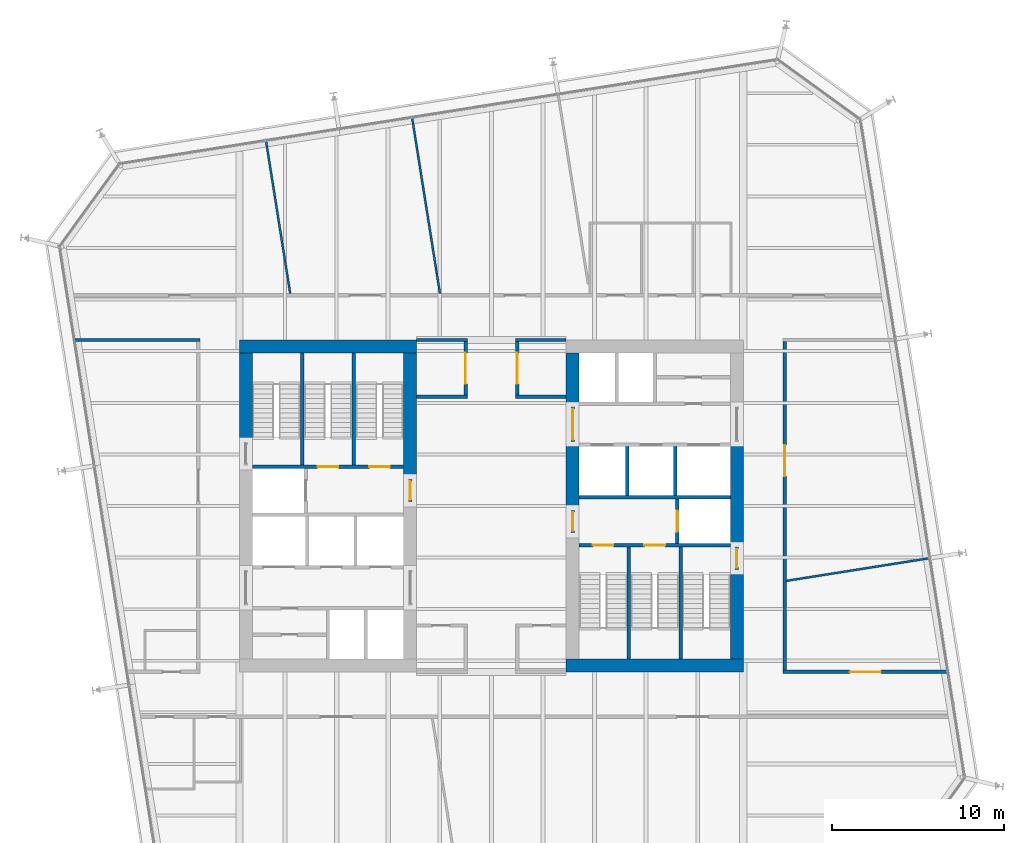
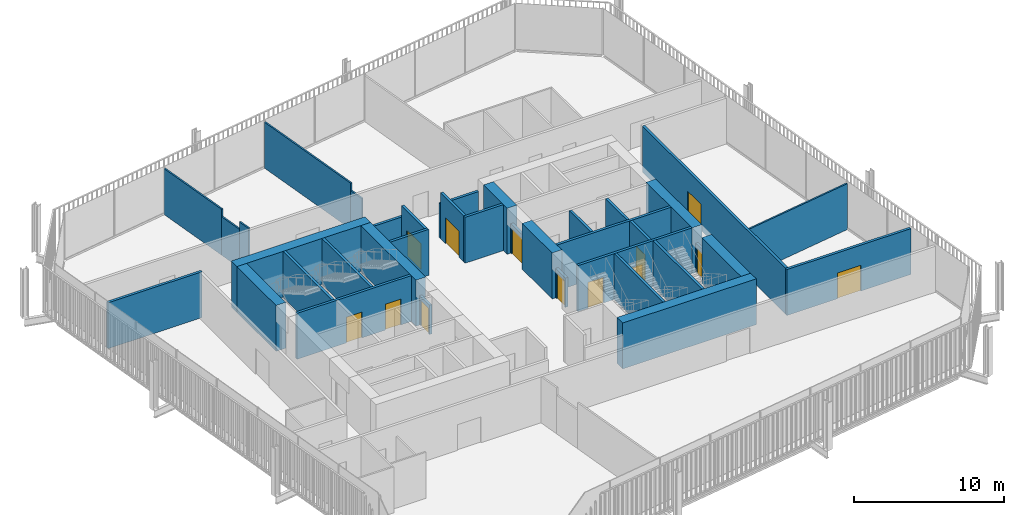
# One storey, part 18 of 21: 37 walls, 13 doors, 13 openings.
"""IFC4 building model written with IfcOpenShell, lengths in metres."""

from ifc_helpers import new_model, si_unit, direction, frame, frame_2d, origin, place, context, subcontext, project, spatial, rectangle, extrude, material, layer, layer_set, type_object, element, fill, save


model = new_model("IFC4")

# Units and contexts
model_context = context("Model", 3, precision=1e-05, world=origin(), true_north=direction((0.0, 1.0)))
body_context = subcontext(model_context, "Body", "Model", "MODEL_VIEW")
ifc_project = project(units=[si_unit("LENGTHUNIT", "METRE"), si_unit("AREAUNIT", "SQUARE_METRE"), si_unit("VOLUMEUNIT", "CUBIC_METRE"), si_unit("PLANEANGLEUNIT", "RADIAN"), si_unit("MASSUNIT", "GRAM", prefix="KILO")], contexts=[model_context])

# Site, building, storey
site_placement = place(None, origin())
site = spatial("IfcSite", under=ifc_project, at=site_placement, CompositionType="ELEMENT")
building_placement = place(site_placement, origin())
building = spatial("IfcBuilding", under=site, at=building_placement, Name="Millrace Tower", CompositionType="ELEMENT")
storey_placement = place(building_placement, frame((0.0, 0.0, 156.800048828125)))
storey = spatial("IfcBuildingStorey", under=building, at=storey_placement, Name="L35", CompositionType="ELEMENT", Elevation=156.800048828125)

# Walls
ifc_material_1 = material(Name="Concrete C70", Category="concrete")
ifc_layer_1 = layer(ifc_material_1, 0.75)
ifc_layer_set_1 = layer_set([ifc_layer_1], Name="Concrete C70")
wall_type_1 = type_object("IfcWallType", Name="Core wall 750 Concrete C70", PredefinedType="SHEAR", material=ifc_layer_set_1)
wall_1_placement = place(storey_placement, frame((-14.64990234375, 9.27490234375, 0.0), z_axis=(0.0, 0.0, 1.0), x_axis=(1.0, 0.0, 0.0)))
element("IfcWall", 1, at=wall_1_placement, inside=storey, type_object=wall_type_1, Name="Core wall W L35", PredefinedType="SHEAR", context=body_context, shape_type="SweptSolid", body=[
    extrude(rectangle(XDim=10.2998046875, YDim=0.75, at=frame_2d((5.14990234375, 0.0))), origin(), (0.0, 0.0, 1.0), 3.739990234375),
])
wall_2_placement = place(storey_placement, frame((-14.27490234375, 3.679931640625, 0.0), z_axis=(0.0, 0.0, 1.0), x_axis=(0.0, 1.0, 0.0)))
element("IfcWall", 2, at=wall_2_placement, inside=storey, type_object=wall_type_1, Name="Core wall W L35", PredefinedType="SHEAR", context=body_context, shape_type="SweptSolid", body=[
    extrude(rectangle(XDim=5.219970703125, YDim=0.75, at=frame_2d((2.60986328125, 0.0))), origin(), (0.0, 0.0, 1.0), 3.739990234375),
])
wall_3_placement = place(storey_placement, frame((-4.72509765625, 1.550048828125, 0.0), z_axis=(0.0, 0.0, 1.0), x_axis=(0.0, 1.0, 0.0)))
element("IfcWall", 3, at=wall_3_placement, inside=storey, type_object=wall_type_1, Name="Core wall W L35", PredefinedType="SHEAR", context=body_context, shape_type="SweptSolid", body=[
    extrude(rectangle(XDim=7.349853515625, YDim=0.75, at=frame_2d((3.6748046875, 0.0))), origin(), (0.0, 0.0, 1.0), 3.739990234375),
])
wall_4_placement = place(storey_placement, frame((14.64990234375, -9.27490234375, 0.0), z_axis=(0.0, 0.0, 1.0), x_axis=(-1.0, 0.0, 0.0)))
element("IfcWall", 4, at=wall_4_placement, inside=storey, type_object=wall_type_1, Name="Core wall E L35", PredefinedType="SHEAR", context=body_context, shape_type="SweptSolid", body=[
    extrude(rectangle(XDim=10.2998046875, YDim=0.75, at=frame_2d((5.14990234375, 0.0))), origin(), (0.0, 0.0, 1.0), 3.739990234375),
])
wall_5_placement = place(storey_placement, frame((14.27490234375, 3.75, 0.0), z_axis=(0.0, 0.0, 1.0), x_axis=(0.0, -1.0, 0.0)))
element("IfcWall", 5, at=wall_5_placement, inside=storey, type_object=wall_type_1, Name="Core wall E L35", PredefinedType="SHEAR", context=body_context, shape_type="SweptSolid", body=[
    extrude(rectangle(XDim=6.1298828125, YDim=0.75, at=frame_2d((3.06494140625, 0.0))), origin(), (0.0, 0.0, 1.0), 3.739990234375),
])
wall_6_placement = place(storey_placement, frame((14.27490234375, -3.679931640625, 0.0), z_axis=(0.0, 0.0, 1.0), x_axis=(0.0, -1.0, 0.0)))
element("IfcWall", 6, at=wall_6_placement, inside=storey, type_object=wall_type_1, Name="Core wall E L35", PredefinedType="SHEAR", context=body_context, shape_type="SweptSolid", body=[
    extrude(rectangle(XDim=5.219970703125, YDim=0.75, at=frame_2d((2.60986328125, 0.0))), origin(), (0.0, 0.0, 1.0), 3.739990234375),
])
wall_7_placement = place(storey_placement, frame((4.72509765625, 8.89990234375, 0.0), z_axis=(0.0, 0.0, 1.0), x_axis=(0.0, -1.0, 0.0)))
element("IfcWall", 7, at=wall_7_placement, inside=storey, type_object=wall_type_1, Name="Core wall E L35", PredefinedType="SHEAR", context=body_context, shape_type="SweptSolid", body=[
    extrude(rectangle(XDim=3.14990234375, YDim=0.75, at=frame_2d((1.574951171875, 0.0))), origin(), (0.0, 0.0, 1.0), 3.739990234375),
])
wall_8_placement = place(storey_placement, frame((4.72509765625, 3.75, 0.0), z_axis=(0.0, 0.0, 1.0), x_axis=(0.0, -1.0, 0.0)))
element("IfcWall", 8, at=wall_8_placement, inside=storey, type_object=wall_type_1, Name="Core wall E L35", PredefinedType="SHEAR", context=body_context, shape_type="SweptSolid", body=[
    extrude(rectangle(XDim=4.0, YDim=0.75, at=frame_2d((2.0, 0.0))), origin(), (0.0, 0.0, 1.0), 3.739990234375),
])

# Wall, opening, door
ifc_material_2 = material(Name="Masonry partition, fire-rated", Category="masonry")
ifc_layer_2 = layer(ifc_material_2, 0.199951171875)
ifc_layer_set_2 = layer_set([ifc_layer_2], Name="Masonry partition, fire-rated")
wall_type_2 = type_object("IfcWallType", Name="Corridor wall 200", PredefinedType="PARTITIONING", material=ifc_layer_set_2)
wall_9_placement = place(storey_placement, frame((16.949951171875, -9.64990234375, 0.0), z_axis=(0.0, 0.0, 1.0), x_axis=(1.0, 0.0, 0.0)))
wall_9 = element("IfcWall", 9, at=wall_9_placement, inside=storey, type_object=wall_type_2, Name="Corridor wall L35", PredefinedType="PARTITIONING", context=body_context, shape_type="SweptSolid", body=[
    extrude(rectangle(XDim=9.54638671875, YDim=0.199951171875, at=frame_2d((4.773193359375, 0.0))), origin(), (0.0, 0.0, 1.0), 3.739990234375),
])
opening_1_placement = place(wall_9_placement, frame((3.89794921875, 0.0, 0.0)))
opening_1 = element("IfcOpeningElement", 10, at=opening_1_placement, cuts=wall_9, Name="Opening 35-P012", PredefinedType="OPENING", context=body_context, shape_type="SweptSolid", body=[
    extrude(rectangle(XDim=1.800048828125, YDim=2.10009765625, at=frame_2d((0.89990234375, 1.050048828125))), frame((0.0, 0.10986328125, 0.0), z_axis=(0.0, -1.0, 0.0), x_axis=(1.0, 0.0, 0.0)), (0.0, 0.0, 1.0), 0.219970703125),
])
ifc_material_3 = material(Name="Steel door set, fire-rated", Category="steel")
door_type_1 = type_object("IfcDoorType", Name="Corridor door 1800 x 2100", OperationType="DOUBLE_DOOR_SINGLE_SWING", PredefinedType="DOOR", material=ifc_material_3)
door_1_placement = place(opening_1_placement, origin())
door_1 = element("IfcDoor", 11, at=door_1_placement, inside=storey, type_object=door_type_1, Name="Door 35-P012", OperationType="DOUBLE_DOOR_SINGLE_SWING", OverallHeight=2.10009765625, OverallWidth=1.800048828125, PredefinedType="DOOR", context=body_context, shape_type="SweptSolid", body=[
    extrude(rectangle(XDim=1.800048828125, YDim=2.10009765625, at=frame_2d((0.89990234375, 1.050048828125))), frame((0.0, 0.02490234375, 0.0), z_axis=(0.0, -1.0, 0.0), x_axis=(1.0, 0.0, 0.0)), (0.0, 0.0, 1.0), 0.050048828125),
])
fill(opening_1, door_1)

# Walls
for number, where, z_axis, x_axis, name in (
    (12, (-4.35009765625, 6.35009765625, 0.0), (0.0, 0.0, 1.0), (1.0, 0.0, 0.0), "Corridor wall L35"),
    (13, (1.39990234375, 6.35009765625, 0.0), (0.0, 0.0, 1.0), (1.0, 0.0, 0.0), "Corridor wall L35"),
):
    element("IfcWall", number, at=place(storey_placement, frame(where, z_axis=z_axis, x_axis=x_axis)), inside=storey, type_object=wall_type_2, Name=name, PredefinedType="PARTITIONING", context=body_context, shape_type="SweptSolid", body=[
        extrude(rectangle(XDim=2.9501953125, YDim=0.199951171875, at=frame_2d((1.47509765625, 0.0))), origin(), (0.0, 0.0, 1.0), 3.739990234375),
    ])
wall_10_placement = place(storey_placement, frame((-24.20703125, 9.64990234375, 0.0), z_axis=(0.0, 0.0, 1.0), x_axis=(1.0, 0.0, 0.0)))
element("IfcWall", 14, at=wall_10_placement, inside=storey, type_object=wall_type_2, Name="Corridor wall L35", PredefinedType="PARTITIONING", context=body_context, shape_type="SweptSolid", body=[
    extrude(rectangle(XDim=7.257080078125, YDim=0.199951171875, at=frame_2d((3.62841796875, 0.0))), origin(), (0.0, 0.0, 1.0), 3.739990234375),
])
for number, where, z_axis, x_axis, name in (
    (15, (-4.35009765625, 9.64990234375, 0.0), (0.0, 0.0, 1.0), (1.0, 0.0, 0.0), "Corridor wall L35"),
    (16, (1.39990234375, 9.64990234375, 0.0), (0.0, 0.0, 1.0), (1.0, 0.0, 0.0), "Corridor wall L35"),
):
    element("IfcWall", number, at=place(storey_placement, frame(where, z_axis=z_axis, x_axis=x_axis)), inside=storey, type_object=wall_type_2, Name=name, PredefinedType="PARTITIONING", context=body_context, shape_type="SweptSolid", body=[
        extrude(rectangle(XDim=2.9501953125, YDim=0.199951171875, at=frame_2d((1.47509765625, 0.0))), origin(), (0.0, 0.0, 1.0), 2.812744140625),
    ])

# Wall, opening, door
wall_11_placement = place(storey_placement, frame((17.050048828125, -9.550048828125, 0.0), z_axis=(0.0, 0.0, 1.0), x_axis=(0.0, 1.0, 0.0)))
wall_11 = element("IfcWall", 17, at=wall_11_placement, inside=storey, type_object=wall_type_2, Name="Corridor wall L35", PredefinedType="PARTITIONING", context=body_context, shape_type="SweptSolid", body=[
    extrude(rectangle(XDim=19.10009765625, YDim=0.199951171875, at=frame_2d((9.550048828125, 0.0))), origin(), (0.0, 0.0, 1.0), 3.739990234375),
])
opening_2_placement = place(wall_11_placement, frame((11.2900390625, 0.0, 0.0)))
opening_2 = element("IfcOpeningElement", 18, at=opening_2_placement, cuts=wall_11, Name="Opening 35-P013", PredefinedType="OPENING", context=body_context, shape_type="SweptSolid", body=[
    extrude(rectangle(XDim=1.800048828125, YDim=2.10009765625, at=frame_2d((0.89990234375, 1.050048828125))), frame((0.0, 0.10986328125, 0.0), z_axis=(0.0, -1.0, 0.0), x_axis=(1.0, 0.0, 0.0)), (0.0, 0.0, 1.0), 0.219970703125),
])
door_2_placement = place(opening_2_placement, frame((1.800048828125, 0.0, 0.0), z_axis=(0.0, 0.0, 1.0), x_axis=(-1.0, 0.0, 0.0)))
door_2 = element("IfcDoor", 19, at=door_2_placement, inside=storey, type_object=door_type_1, Name="Door 35-P013", OperationType="DOUBLE_DOOR_SINGLE_SWING", OverallHeight=2.10009765625, OverallWidth=1.800048828125, PredefinedType="DOOR", context=body_context, shape_type="SweptSolid", body=[
    extrude(rectangle(XDim=1.800048828125, YDim=2.10009765625, at=frame_2d((0.89990234375, 1.050048828125))), frame((0.0, 0.02490234375, 0.0), z_axis=(0.0, -1.0, 0.0), x_axis=(1.0, 0.0, 0.0)), (0.0, 0.0, 1.0), 0.050048828125),
])
fill(opening_2, door_2)

wall_12_placement = place(storey_placement, frame((1.5, 6.449951171875, 0.0), z_axis=(0.0, 0.0, 1.0), x_axis=(0.0, 1.0, 0.0)))
wall_12 = element("IfcWall", 20, at=wall_12_placement, inside=storey, type_object=wall_type_2, Name="Corridor wall L35", PredefinedType="PARTITIONING", context=body_context, shape_type="SweptSolid", body=[
    extrude(rectangle(XDim=3.10009765625, YDim=0.199951171875, at=frame_2d((1.550048828125, 0.0))), origin(), (0.0, 0.0, 1.0), 3.739990234375),
])
opening_3_placement = place(wall_12_placement, frame((0.64990234375, 0.0, 0.0)))
opening_3 = element("IfcOpeningElement", 21, at=opening_3_placement, cuts=wall_12, Name="Opening 35-P002", PredefinedType="OPENING", context=body_context, shape_type="SweptSolid", body=[
    extrude(rectangle(XDim=1.800048828125, YDim=2.10009765625, at=frame_2d((0.89990234375, 1.050048828125))), frame((0.0, 0.10986328125, 0.0), z_axis=(0.0, -1.0, 0.0), x_axis=(1.0, 0.0, 0.0)), (0.0, 0.0, 1.0), 0.219970703125),
])
ifc_material_4 = material(Name="Steel door set, fire-rated", Category="steel")
door_type_2 = type_object("IfcDoorType", Name="Data hall door 1800 x 2100", OperationType="DOUBLE_DOOR_SINGLE_SWING", PredefinedType="DOOR", material=ifc_material_4)
door_3_placement = place(opening_3_placement, frame((1.800048828125, 0.0, 0.0), z_axis=(0.0, 0.0, 1.0), x_axis=(-1.0, 0.0, 0.0)))
door_3 = element("IfcDoor", 22, at=door_3_placement, inside=storey, type_object=door_type_2, Name="Door 35-P002", OperationType="DOUBLE_DOOR_SINGLE_SWING", OverallHeight=2.10009765625, OverallWidth=1.800048828125, PredefinedType="DOOR", context=body_context, shape_type="SweptSolid", body=[
    extrude(rectangle(XDim=1.800048828125, YDim=2.10009765625, at=frame_2d((0.89990234375, 1.050048828125))), frame((0.0, 0.02490234375, 0.0), z_axis=(0.0, -1.0, 0.0), x_axis=(1.0, 0.0, 0.0)), (0.0, 0.0, 1.0), 0.050048828125),
])
fill(opening_3, door_3)

wall_13_placement = place(storey_placement, frame((-1.5, 6.449951171875, 0.0), z_axis=(0.0, 0.0, 1.0), x_axis=(0.0, 1.0, 0.0)))
wall_13 = element("IfcWall", 23, at=wall_13_placement, inside=storey, type_object=wall_type_2, Name="Corridor wall L35", PredefinedType="PARTITIONING", context=body_context, shape_type="SweptSolid", body=[
    extrude(rectangle(XDim=3.10009765625, YDim=0.199951171875, at=frame_2d((1.550048828125, 0.0))), origin(), (0.0, 0.0, 1.0), 3.739990234375),
])
opening_4_placement = place(wall_13_placement, frame((0.64990234375, 0.0, 0.0)))
opening_4 = element("IfcOpeningElement", 24, at=opening_4_placement, cuts=wall_13, Name="Opening 35-P001", PredefinedType="OPENING", context=body_context, shape_type="SweptSolid", body=[
    extrude(rectangle(XDim=1.800048828125, YDim=2.10009765625, at=frame_2d((0.89990234375, 1.050048828125))), frame((0.0, 0.10986328125, 0.0), z_axis=(0.0, -1.0, 0.0), x_axis=(1.0, 0.0, 0.0)), (0.0, 0.0, 1.0), 0.219970703125),
])
door_4_placement = place(opening_4_placement, origin())
door_4 = element("IfcDoor", 25, at=door_4_placement, inside=storey, type_object=door_type_2, Name="Door 35-P001", OperationType="DOUBLE_DOOR_SINGLE_SWING", OverallHeight=2.10009765625, OverallWidth=1.800048828125, PredefinedType="DOOR", context=body_context, shape_type="SweptSolid", body=[
    extrude(rectangle(XDim=1.800048828125, YDim=2.10009765625, at=frame_2d((0.89990234375, 1.050048828125))), frame((0.0, 0.02490234375, 0.0), z_axis=(0.0, -1.0, 0.0), x_axis=(1.0, 0.0, 0.0)), (0.0, 0.0, 1.0), 0.050048828125),
])
fill(opening_4, door_4)

# Wall
ifc_material_5 = material(Name="Masonry partition, fire-rated", Category="masonry")
ifc_layer_3 = layer(ifc_material_5, 0.199951171875)
ifc_layer_set_3 = layer_set([ifc_layer_3], Name="Masonry partition, fire-rated")
wall_type_3 = type_object("IfcWallType", Name="Lift shaft wall 200", PredefinedType="PARTITIONING", material=ifc_layer_set_3)
wall_14_placement = place(storey_placement, frame((13.89990234375, 0.5, 0.0), z_axis=(0.0, 0.0, 1.0), x_axis=(-1.0, 0.0, 0.0)))
element("IfcWall", 26, at=wall_14_placement, inside=storey, type_object=wall_type_3, Name="Lift shaft wall E L35", PredefinedType="PARTITIONING", context=body_context, shape_type="SweptSolid", body=[
    extrude(rectangle(XDim=8.7998046875, YDim=0.199951171875, at=frame_2d((4.39990234375, 0.0))), origin(), (0.0, 0.0, 1.0), 3.739990234375),
])

# Wall, opening, door
wall_15_placement = place(storey_placement, frame((10.800048828125, 0.39990234375, 0.0), z_axis=(0.0, 0.0, 1.0), x_axis=(0.0, -1.0, 0.0)))
wall_15 = element("IfcWall", 27, at=wall_15_placement, inside=storey, type_object=wall_type_3, Name="Lift shaft wall E L35", PredefinedType="PARTITIONING", context=body_context, shape_type="SweptSolid", body=[
    extrude(rectangle(XDim=2.579833984375, YDim=0.199951171875, at=frame_2d((1.2900390625, 0.0))), origin(), (0.0, 0.0, 1.0), 3.739990234375),
])
opening_5_placement = place(wall_15_placement, frame((0.68994140625, 0.0, 0.0)))
opening_5 = element("IfcOpeningElement", 28, at=opening_5_placement, cuts=wall_15, Name="Opening 35-LD16", PredefinedType="OPENING", context=body_context, shape_type="SweptSolid", body=[
    extrude(rectangle(XDim=1.199951171875, YDim=2.10009765625, at=frame_2d((0.60009765625, 1.050048828125))), frame((0.0, 0.10986328125, 0.0), z_axis=(0.0, -1.0, 0.0), x_axis=(1.0, 0.0, 0.0)), (0.0, 0.0, 1.0), 0.219970703125),
])
ifc_material_6 = material(Name="Stainless steel, fire-rated", Category="steel")
door_type_3 = type_object("IfcDoorType", Name="Lift landing door 1200 x 2100", OperationType="DOUBLE_DOOR_SLIDING", PredefinedType="DOOR", material=ifc_material_6)
door_5_placement = place(opening_5_placement, origin())
door_5 = element("IfcDoor", 29, at=door_5_placement, inside=storey, type_object=door_type_3, Name="Lift landing door LF16 L35", OperationType="DOUBLE_DOOR_SLIDING", OverallHeight=2.10009765625, OverallWidth=1.199951171875, PredefinedType="DOOR", context=body_context, shape_type="SweptSolid", body=[
    extrude(rectangle(XDim=1.199951171875, YDim=2.10009765625, at=frame_2d((0.60009765625, 1.050048828125))), frame((0.0, 0.02490234375, 0.0), z_axis=(0.0, -1.0, 0.0), x_axis=(1.0, 0.0, 0.0)), (0.0, 0.0, 1.0), 0.050048828125),
])
fill(opening_5, door_5)

# Walls
for number, where, z_axis, x_axis, name in (
    (30, (10.699951171875, 3.449951171875, 0.0), (0.0, 0.0, 1.0), (0.0, -1.0, 0.0), "Lift shaft wall E L35"),
    (31, (7.89990234375, 3.449951171875, 0.0), (0.0, 0.0, 1.0), (0.0, -1.0, 0.0), "Lift shaft wall E L35"),
):
    element("IfcWall", number, at=place(storey_placement, frame(where, z_axis=z_axis, x_axis=x_axis)), inside=storey, type_object=wall_type_3, Name=name, PredefinedType="PARTITIONING", context=body_context, shape_type="SweptSolid", body=[
        extrude(rectangle(XDim=2.849853515625, YDim=0.199951171875, at=frame_2d((1.4248046875, 0.0))), origin(), (0.0, 0.0, 1.0), 3.739990234375),
    ])

# Wall, opening, door
ifc_material_7 = material(Name="Masonry partition, fire-rated", Category="masonry")
ifc_layer_4 = layer(ifc_material_7, 0.199951171875)
ifc_layer_set_4 = layer_set([ifc_layer_4], Name="Masonry partition, fire-rated")
wall_type_4 = type_object("IfcWallType", Name="Lobby wall 200", PredefinedType="PARTITIONING", material=ifc_layer_set_4)
wall_16_placement = place(storey_placement, frame((-4.72509765625, 0.25, 0.0), z_axis=(0.0, 0.0, 1.0), x_axis=(0.0, 1.0, 0.0)))
wall_16 = element("IfcWall", 32, at=wall_16_placement, inside=storey, type_object=wall_type_4, Name="Lobby wall W L35", PredefinedType="PARTITIONING", context=body_context, shape_type="SweptSolid", body=[
    extrude(rectangle(XDim=1.300048828125, YDim=0.199951171875, at=frame_2d((0.64990234375, 0.0))), origin(), (0.0, 0.0, 1.0), 2.39990234375),
])
opening_6_placement = place(wall_16_placement, frame((0.10009765625, 0.0, 0.0)))
opening_6 = element("IfcOpeningElement", 33, at=opening_6_placement, cuts=wall_16, Name="Opening 35-C004", PredefinedType="OPENING", context=body_context, shape_type="SweptSolid", body=[
    extrude(rectangle(XDim=1.10009765625, YDim=2.10009765625, at=frame_2d((0.550048828125, 1.050048828125))), frame((0.0, 0.10986328125, 0.0), z_axis=(0.0, -1.0, 0.0), x_axis=(1.0, 0.0, 0.0)), (0.0, 0.0, 1.0), 0.219970703125),
])
ifc_material_8 = material(Name="Steel door, fire-rated", Category="steel")
door_type_4 = type_object("IfcDoorType", Name="Lobby door 1100 x 2100", OperationType="SINGLE_SWING_LEFT", PredefinedType="DOOR", material=ifc_material_8)
door_6_placement = place(opening_6_placement, origin())
door_6 = element("IfcDoor", 34, at=door_6_placement, inside=storey, type_object=door_type_4, Name="Lobby door 35-C004", OperationType="SINGLE_SWING_RIGHT", OverallHeight=2.10009765625, OverallWidth=1.10009765625, PredefinedType="DOOR", context=body_context, shape_type="SweptSolid", body=[
    extrude(rectangle(XDim=1.10009765625, YDim=2.10009765625, at=frame_2d((0.550048828125, 1.050048828125))), frame((0.0, 0.02490234375, 0.0), z_axis=(0.0, -1.0, 0.0), x_axis=(1.0, 0.0, 0.0)), (0.0, 0.0, 1.0), 0.050048828125),
])
fill(opening_6, door_6)

wall_17_placement = place(storey_placement, frame((4.72509765625, 5.75, 0.0), z_axis=(0.0, 0.0, 1.0), x_axis=(0.0, -1.0, 0.0)))
wall_17 = element("IfcWall", 35, at=wall_17_placement, inside=storey, type_object=wall_type_4, Name="Lobby wall E L35", PredefinedType="PARTITIONING", context=body_context, shape_type="SweptSolid", body=[
    extrude(rectangle(XDim=2.0, YDim=0.199951171875, at=frame_2d((1.0, 0.0))), origin(), (0.0, 0.0, 1.0), 2.39990234375),
])
opening_7_placement = place(wall_17_placement, frame((0.10009765625, 0.0, 0.0)))
opening_7 = element("IfcOpeningElement", 36, at=opening_7_placement, cuts=wall_17, Name="Opening 35-C011", PredefinedType="OPENING", context=body_context, shape_type="SweptSolid", body=[
    extrude(rectangle(XDim=1.800048828125, YDim=2.10009765625, at=frame_2d((0.89990234375, 1.050048828125))), frame((0.0, 0.10986328125, 0.0), z_axis=(0.0, -1.0, 0.0), x_axis=(1.0, 0.0, 0.0)), (0.0, 0.0, 1.0), 0.219970703125),
])
ifc_material_9 = material(Name="Steel door, fire-rated", Category="steel")
door_type_5 = type_object("IfcDoorType", Name="Lobby door 1800 x 2100", OperationType="DOUBLE_DOOR_SINGLE_SWING", PredefinedType="DOOR", material=ifc_material_9)
door_7_placement = place(opening_7_placement, origin())
door_7 = element("IfcDoor", 37, at=door_7_placement, inside=storey, type_object=door_type_5, Name="Lobby door 35-C011", OperationType="DOUBLE_DOOR_SINGLE_SWING", OverallHeight=2.10009765625, OverallWidth=1.800048828125, PredefinedType="DOOR", context=body_context, shape_type="SweptSolid", body=[
    extrude(rectangle(XDim=1.800048828125, YDim=2.10009765625, at=frame_2d((0.89990234375, 1.050048828125))), frame((0.0, 0.02490234375, 0.0), z_axis=(0.0, -1.0, 0.0), x_axis=(1.0, 0.0, 0.0)), (0.0, 0.0, 1.0), 0.050048828125),
])
fill(opening_7, door_7)

wall_18_placement = place(storey_placement, frame((4.72509765625, -0.25, 0.0), z_axis=(0.0, 0.0, 1.0), x_axis=(0.0, -1.0, 0.0)))
wall_18 = element("IfcWall", 38, at=wall_18_placement, inside=storey, type_object=wall_type_4, Name="Lobby wall E L35", PredefinedType="PARTITIONING", context=body_context, shape_type="SweptSolid", body=[
    extrude(rectangle(XDim=1.300048828125, YDim=0.199951171875, at=frame_2d((0.64990234375, 0.0))), origin(), (0.0, 0.0, 1.0), 2.39990234375),
])
opening_8_placement = place(wall_18_placement, frame((0.10009765625, 0.0, 0.0)))
opening_8 = element("IfcOpeningElement", 39, at=opening_8_placement, cuts=wall_18, Name="Opening 35-C012", PredefinedType="OPENING", context=body_context, shape_type="SweptSolid", body=[
    extrude(rectangle(XDim=1.10009765625, YDim=2.10009765625, at=frame_2d((0.550048828125, 1.050048828125))), frame((0.0, 0.10986328125, 0.0), z_axis=(0.0, -1.0, 0.0), x_axis=(1.0, 0.0, 0.0)), (0.0, 0.0, 1.0), 0.219970703125),
])
door_8_placement = place(opening_8_placement, origin())
door_8 = element("IfcDoor", 40, at=door_8_placement, inside=storey, type_object=door_type_4, Name="Lobby door 35-C012", OperationType="SINGLE_SWING_LEFT", OverallHeight=2.10009765625, OverallWidth=1.10009765625, PredefinedType="DOOR", context=body_context, shape_type="SweptSolid", body=[
    extrude(rectangle(XDim=1.10009765625, YDim=2.10009765625, at=frame_2d((0.550048828125, 1.050048828125))), frame((0.0, 0.02490234375, 0.0), z_axis=(0.0, -1.0, 0.0), x_axis=(1.0, 0.0, 0.0)), (0.0, 0.0, 1.0), 0.050048828125),
])
fill(opening_8, door_8)

# Walls
ifc_material_10 = material(Name="Gypsum board partition")
ifc_layer_5 = layer(ifc_material_10, 0.1201171875)
ifc_layer_set_5 = layer_set([ifc_layer_5], Name="Gypsum board partition")
wall_type_5 = type_object("IfcWallType", Name="Partition wall 120", PredefinedType="PARTITIONING", material=ifc_layer_set_5)
wall_19_placement = place(storey_placement, frame((-13.098876953125, 21.20849609375, 0.0), z_axis=(0.0, 0.0, 1.0), x_axis=(0.156435215838, -0.98768822168, 0.0)))
element("IfcWall", 41, at=wall_19_placement, inside=storey, type_object=wall_type_5, Name="Partition wall L35", PredefinedType="PARTITIONING", context=body_context, shape_type="SweptSolid", body=[
    extrude(rectangle(XDim=6.073974609375, YDim=0.1201171875, at=frame_2d((3.037109375, 0.0))), origin(), (0.0, 0.0, 1.0), 3.739990234375),
])
wall_20_placement = place(storey_placement, frame((-12.148681640625, 15.209228515625, 0.0), z_axis=(0.0, 0.0, 1.0), x_axis=(0.156437428752, -0.987687871185, 0.0)))
element("IfcWall", 42, at=wall_20_placement, inside=storey, type_object=wall_type_5, Name="Partition wall L35", PredefinedType="PARTITIONING", context=body_context, shape_type="SweptSolid", body=[
    extrude(rectangle(XDim=1.90087890625, YDim=0.1201171875, at=frame_2d((0.950439453125, 0.0))), origin(), (0.0, 0.0, 1.0), 3.137939453125),
])
wall_21_placement = place(storey_placement, frame((-11.851318359375, 13.331787109375, 0.0), z_axis=(0.0, 0.0, 1.0), x_axis=(0.156516849034, -0.98767528873, 0.0)))
element("IfcWall", 43, at=wall_21_placement, inside=storey, type_object=wall_type_5, Name="Partition wall L35", PredefinedType="PARTITIONING", context=body_context, shape_type="SweptSolid", body=[
    extrude(rectangle(XDim=0.9951171875, YDim=0.1201171875, at=frame_2d((0.49755859375, 0.0))), origin(), (0.0, 0.0, 1.0), 3.739990234375),
])
wall_22_placement = place(storey_placement, frame((-4.604736328125, 22.553955078125, 0.0), z_axis=(0.0, 0.0, 1.0), x_axis=(0.156514999097, -0.987675581888, 0.0)))
element("IfcWall", 44, at=wall_22_placement, inside=storey, type_object=wall_type_5, Name="Partition wall L35", PredefinedType="PARTITIONING", context=body_context, shape_type="SweptSolid", body=[
    extrude(rectangle(XDim=9.1455078125, YDim=0.1201171875, at=frame_2d((4.57275390625, 0.0))), origin(), (0.0, 0.0, 1.0), 3.739990234375),
])
wall_23_placement = place(storey_placement, frame((-3.17333984375, 13.521240234375, 0.0), z_axis=(0.0, 0.0, 1.0), x_axis=(0.15652233103, -0.987674419983, 0.0)))
element("IfcWall", 45, at=wall_23_placement, inside=storey, type_object=wall_type_5, Name="Partition wall L35", PredefinedType="PARTITIONING", context=body_context, shape_type="SweptSolid", body=[
    extrude(rectangle(XDim=1.18701171875, YDim=0.1201171875, at=frame_2d((0.593505859375, 0.0))), origin(), (0.0, 0.0, 1.0), 3.1328125),
])
wall_24_placement = place(storey_placement, frame((17.148681640625, -4.354248046875, 0.0), z_axis=(0.0, 0.0, 1.0), x_axis=(0.987702120758, 0.156347435703, 0.0)))
element("IfcWall", 46, at=wall_24_placement, inside=storey, type_object=wall_type_5, Name="Partition wall L35", PredefinedType="PARTITIONING", context=body_context, shape_type="SweptSolid", body=[
    extrude(rectangle(XDim=8.404052734375, YDim=0.1201171875, at=frame_2d((4.2021484375, 0.0))), origin(), (0.0, 0.0, 1.0), 3.739990234375),
])

# Wall, openings, doors
ifc_material_11 = material(Name="Concrete C40", Category="concrete")
ifc_layer_6 = layer(ifc_material_11, 0.199951171875)
ifc_layer_set_6 = layer_set([ifc_layer_6], Name="Concrete C40")
wall_type_6 = type_object("IfcWallType", Name="Stair enclosure wall 200 Concrete C40", PredefinedType="SHEAR", material=ifc_layer_set_6)
wall_25_placement = place(storey_placement, frame((-13.89990234375, 2.280029296875, 0.0), z_axis=(0.0, 0.0, 1.0), x_axis=(1.0, 0.0, 0.0)))
wall_25 = element("IfcWall", 47, at=wall_25_placement, inside=storey, type_object=wall_type_6, Name="Stair enclosure wall W L35", PredefinedType="SHEAR", context=body_context, shape_type="SweptSolid", body=[
    extrude(rectangle(XDim=8.7998046875, YDim=0.199951171875, at=frame_2d((4.39990234375, 0.0))), origin(), (0.0, 0.0, 1.0), 3.739990234375),
])
opening_9_placement = place(wall_25_placement, frame((3.800048828125, 0.0, 0.0)))
opening_9 = element("IfcOpeningElement", 48, at=opening_9_placement, cuts=wall_25, Name="Opening 35-C007", PredefinedType="OPENING", context=body_context, shape_type="SweptSolid", body=[
    extrude(rectangle(XDim=1.199951171875, YDim=2.10009765625, at=frame_2d((0.60009765625, 1.050048828125))), frame((0.0, 0.10986328125, 0.0), z_axis=(0.0, -1.0, 0.0), x_axis=(1.0, 0.0, 0.0)), (0.0, 0.0, 1.0), 0.219970703125),
])
opening_10_placement = place(wall_25_placement, frame((6.800048828125, 0.0, 0.0)))
opening_10 = element("IfcOpeningElement", 49, at=opening_10_placement, cuts=wall_25, Name="Opening 35-C008", PredefinedType="OPENING", context=body_context, shape_type="SweptSolid", body=[
    extrude(rectangle(XDim=1.199951171875, YDim=2.10009765625, at=frame_2d((0.60009765625, 1.050048828125))), frame((0.0, 0.10986328125, 0.0), z_axis=(0.0, -1.0, 0.0), x_axis=(1.0, 0.0, 0.0)), (0.0, 0.0, 1.0), 0.219970703125),
])
ifc_material_12 = material(Name="Steel door, fire-rated", Category="steel")
door_type_6 = type_object("IfcDoorType", Name="Stair door 1200 x 2100", OperationType="SINGLE_SWING_LEFT", PredefinedType="DOOR", material=ifc_material_12)
door_9_placement = place(opening_9_placement, frame((1.199951171875, 0.0, 0.0), z_axis=(0.0, 0.0, 1.0), x_axis=(-1.0, 0.0, 0.0)))
door_9 = element("IfcDoor", 50, at=door_9_placement, inside=storey, type_object=door_type_6, Name="Stair door 35-C007", OperationType="SINGLE_SWING_RIGHT", OverallHeight=2.10009765625, OverallWidth=1.199951171875, PredefinedType="DOOR", context=body_context, shape_type="SweptSolid", body=[
    extrude(rectangle(XDim=1.199951171875, YDim=2.10009765625, at=frame_2d((0.60009765625, 1.050048828125))), frame((0.0, 0.02490234375, 0.0), z_axis=(0.0, -1.0, 0.0), x_axis=(1.0, 0.0, 0.0)), (0.0, 0.0, 1.0), 0.050048828125),
])
fill(opening_9, door_9)
door_10_placement = place(opening_10_placement, frame((1.199951171875, 0.0, 0.0), z_axis=(0.0, 0.0, 1.0), x_axis=(-1.0, 0.0, 0.0)))
door_10 = element("IfcDoor", 51, at=door_10_placement, inside=storey, type_object=door_type_6, Name="Stair door 35-C008", OperationType="SINGLE_SWING_LEFT", OverallHeight=2.10009765625, OverallWidth=1.199951171875, PredefinedType="DOOR", context=body_context, shape_type="SweptSolid", body=[
    extrude(rectangle(XDim=1.199951171875, YDim=2.10009765625, at=frame_2d((0.60009765625, 1.050048828125))), frame((0.0, 0.02490234375, 0.0), z_axis=(0.0, -1.0, 0.0), x_axis=(1.0, 0.0, 0.0)), (0.0, 0.0, 1.0), 0.050048828125),
])
fill(opening_10, door_10)

# Walls
for number, where, z_axis, x_axis, name in (
    (52, (-11.0, 2.3798828125, 0.0), (0.0, 0.0, 1.0), (0.0, 1.0, 0.0), "Stair enclosure wall W L35"),
    (53, (-8.0, 2.3798828125, 0.0), (0.0, 0.0, 1.0), (0.0, 1.0, 0.0), "Stair enclosure wall W L35"),
):
    element("IfcWall", number, at=place(storey_placement, frame(where, z_axis=z_axis, x_axis=x_axis)), inside=storey, type_object=wall_type_6, Name=name, PredefinedType="SHEAR", context=body_context, shape_type="SweptSolid", body=[
        extrude(rectangle(XDim=6.52001953125, YDim=0.199951171875, at=frame_2d((3.260009765625, 0.0))), origin(), (0.0, 0.0, 1.0), 3.739990234375),
    ])

# Wall, opening, door
wall_26_placement = place(storey_placement, frame((14.27490234375, -2.3798828125, 0.0), z_axis=(0.0, 0.0, 1.0), x_axis=(0.0, -1.0, 0.0)))
wall_26 = element("IfcWall", 54, at=wall_26_placement, inside=storey, type_object=wall_type_6, Name="Stair enclosure wall E L35", PredefinedType="SHEAR", context=body_context, shape_type="SweptSolid", body=[
    extrude(rectangle(XDim=1.300048828125, YDim=0.199951171875, at=frame_2d((0.64990234375, 0.0))), origin(), (0.0, 0.0, 1.0), 2.39990234375),
])
opening_11_placement = place(wall_26_placement, frame((0.10009765625, 0.0, 0.0)))
opening_11 = element("IfcOpeningElement", 55, at=opening_11_placement, cuts=wall_26, Name="Opening 35-C010", PredefinedType="OPENING", context=body_context, shape_type="SweptSolid", body=[
    extrude(rectangle(XDim=1.10009765625, YDim=2.10009765625, at=frame_2d((0.550048828125, 1.050048828125))), frame((0.0, 0.10986328125, 0.0), z_axis=(0.0, -1.0, 0.0), x_axis=(1.0, 0.0, 0.0)), (0.0, 0.0, 1.0), 0.219970703125),
])
ifc_material_13 = material(Name="Steel door, fire-rated", Category="steel")
door_type_7 = type_object("IfcDoorType", Name="Stair door 1100 x 2100", OperationType="SINGLE_SWING_LEFT", PredefinedType="DOOR", material=ifc_material_13)
door_11_placement = place(opening_11_placement, origin())
door_11 = element("IfcDoor", 56, at=door_11_placement, inside=storey, type_object=door_type_7, Name="Stair door 35-C010", OperationType="SINGLE_SWING_LEFT", OverallHeight=2.10009765625, OverallWidth=1.10009765625, PredefinedType="DOOR", context=body_context, shape_type="SweptSolid", body=[
    extrude(rectangle(XDim=1.10009765625, YDim=2.10009765625, at=frame_2d((0.550048828125, 1.050048828125))), frame((0.0, 0.02490234375, 0.0), z_axis=(0.0, -1.0, 0.0), x_axis=(1.0, 0.0, 0.0)), (0.0, 0.0, 1.0), 0.050048828125),
])
fill(opening_11, door_11)

# Wall, openings, doors
wall_27_placement = place(storey_placement, frame((13.89990234375, -2.280029296875, 0.0), z_axis=(0.0, 0.0, 1.0), x_axis=(-1.0, 0.0, 0.0)))
wall_27 = element("IfcWall", 57, at=wall_27_placement, inside=storey, type_object=wall_type_6, Name="Stair enclosure wall E L35", PredefinedType="SHEAR", context=body_context, shape_type="SweptSolid", body=[
    extrude(rectangle(XDim=8.7998046875, YDim=0.199951171875, at=frame_2d((4.39990234375, 0.0))), origin(), (0.0, 0.0, 1.0), 3.739990234375),
])
opening_12_placement = place(wall_27_placement, frame((3.800048828125, 0.0, 0.0)))
opening_12 = element("IfcOpeningElement", 58, at=opening_12_placement, cuts=wall_27, Name="Opening 35-C015", PredefinedType="OPENING", context=body_context, shape_type="SweptSolid", body=[
    extrude(rectangle(XDim=1.199951171875, YDim=2.10009765625, at=frame_2d((0.60009765625, 1.050048828125))), frame((0.0, 0.10986328125, 0.0), z_axis=(0.0, -1.0, 0.0), x_axis=(1.0, 0.0, 0.0)), (0.0, 0.0, 1.0), 0.219970703125),
])
opening_13_placement = place(wall_27_placement, frame((6.800048828125, 0.0, 0.0)))
opening_13 = element("IfcOpeningElement", 59, at=opening_13_placement, cuts=wall_27, Name="Opening 35-C016", PredefinedType="OPENING", context=body_context, shape_type="SweptSolid", body=[
    extrude(rectangle(XDim=1.199951171875, YDim=2.10009765625, at=frame_2d((0.60009765625, 1.050048828125))), frame((0.0, 0.10986328125, 0.0), z_axis=(0.0, -1.0, 0.0), x_axis=(1.0, 0.0, 0.0)), (0.0, 0.0, 1.0), 0.219970703125),
])
door_12_placement = place(opening_12_placement, frame((1.199951171875, 0.0, 0.0), z_axis=(0.0, 0.0, 1.0), x_axis=(-1.0, 0.0, 0.0)))
door_12 = element("IfcDoor", 60, at=door_12_placement, inside=storey, type_object=door_type_6, Name="Stair door 35-C015", OperationType="SINGLE_SWING_RIGHT", OverallHeight=2.10009765625, OverallWidth=1.199951171875, PredefinedType="DOOR", context=body_context, shape_type="SweptSolid", body=[
    extrude(rectangle(XDim=1.199951171875, YDim=2.10009765625, at=frame_2d((0.60009765625, 1.050048828125))), frame((0.0, 0.02490234375, 0.0), z_axis=(0.0, -1.0, 0.0), x_axis=(1.0, 0.0, 0.0)), (0.0, 0.0, 1.0), 0.050048828125),
])
fill(opening_12, door_12)
door_13_placement = place(opening_13_placement, frame((1.199951171875, 0.0, 0.0), z_axis=(0.0, 0.0, 1.0), x_axis=(-1.0, 0.0, 0.0)))
door_13 = element("IfcDoor", 61, at=door_13_placement, inside=storey, type_object=door_type_6, Name="Stair door 35-C016", OperationType="SINGLE_SWING_LEFT", OverallHeight=2.10009765625, OverallWidth=1.199951171875, PredefinedType="DOOR", context=body_context, shape_type="SweptSolid", body=[
    extrude(rectangle(XDim=1.199951171875, YDim=2.10009765625, at=frame_2d((0.60009765625, 1.050048828125))), frame((0.0, 0.02490234375, 0.0), z_axis=(0.0, -1.0, 0.0), x_axis=(1.0, 0.0, 0.0)), (0.0, 0.0, 1.0), 0.050048828125),
])
fill(opening_13, door_13)

# Walls
for number, where, z_axis, x_axis, name in (
    (62, (11.0, -2.3798828125, 0.0), (0.0, 0.0, 1.0), (0.0, -1.0, 0.0), "Stair enclosure wall E L35"),
    (63, (8.0, -2.3798828125, 0.0), (0.0, 0.0, 1.0), (0.0, -1.0, 0.0), "Stair enclosure wall E L35"),
):
    element("IfcWall", number, at=place(storey_placement, frame(where, z_axis=z_axis, x_axis=x_axis)), inside=storey, type_object=wall_type_6, Name=name, PredefinedType="SHEAR", context=body_context, shape_type="SweptSolid", body=[
        extrude(rectangle(XDim=6.52001953125, YDim=0.199951171875, at=frame_2d((3.260009765625, 0.0))), origin(), (0.0, 0.0, 1.0), 3.739990234375),
    ])

save(model, "model.ifc")
